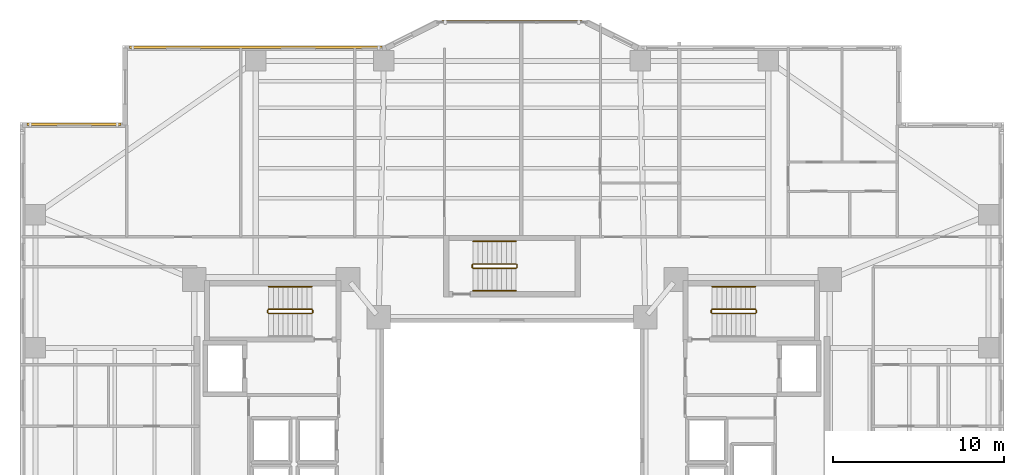
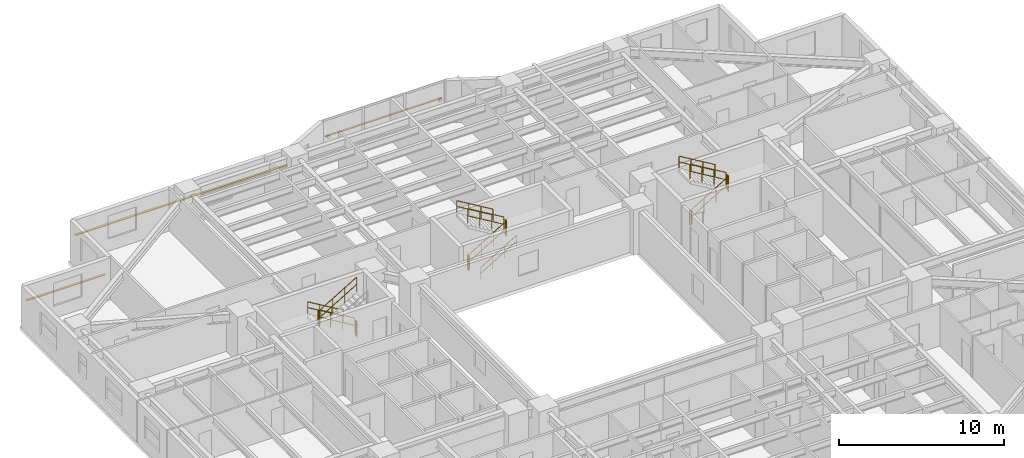
# One storey, part 20 of 21: 16 railings, 3 shading devices.
"""IFC4 building model written with IfcOpenShell, lengths in metres."""

from ifc_helpers import new_model, si_unit, direction, frame, origin, origin_2d, place, context, subcontext, project, spatial, rectangle, circle, extrude, material, material_profile, profile_set, type_object, element, save


model = new_model("IFC4")

# Units and contexts
model_context = context("Model", 3, precision=1e-05, world=origin(), true_north=direction((0.0, 1.0)))
body_context = subcontext(model_context, "Body", "Model", "MODEL_VIEW")
ifc_project = project(units=[si_unit("LENGTHUNIT", "METRE"), si_unit("AREAUNIT", "SQUARE_METRE"), si_unit("VOLUMEUNIT", "CUBIC_METRE"), si_unit("PLANEANGLEUNIT", "RADIAN"), si_unit("MASSUNIT", "GRAM", prefix="KILO")], contexts=[model_context])

# Site, building, storey
site_placement = place(None, origin())
site = spatial("IfcSite", under=ifc_project, at=site_placement, CompositionType="ELEMENT")
building_placement = place(site_placement, origin())
building = spatial("IfcBuilding", under=site, at=building_placement, Name="Tarnavaz Court Tower", CompositionType="ELEMENT")
storey_placement = place(building_placement, frame((0.0, 0.0, 47.449951171875)))
storey = spatial("IfcBuildingStorey", under=building, at=storey_placement, Name="L12", CompositionType="ELEMENT", Elevation=47.449951171875)

# Railings
ifc_material_1 = material(Name="Brushed Stainless Steel", Category="steel")
railing_type_1 = type_object("IfcRailingType", Name="RL-HANDRAIL-900", PredefinedType="HANDRAIL", material=ifc_material_1)
for number, where, name in (
    (1, (-11.719970703125, 9.590087890625, 0.16748046875), "L12 ST-W1 stair handrail 1"),
    (2, (14.239990234375, 9.590087890625, 1.842529296875), "L12 ST-E1 stair handrail 2"),
):
    element("IfcRailing", number, at=place(storey_placement, frame(where)), inside=storey, type_object=railing_type_1, Name=name, PredefinedType="HANDRAIL", context=body_context, shape_type="SweptSolid", body=[
        extrude(circle(Radius=0.02392578125, at=origin_2d()), frame((0.0, 0.0, 0.8759765625), z_axis=(-0.858159760407, 0.0, 0.513382728203), x_axis=(0.0, -1.0, 0.0)), (0.0, 0.0, 1.0), 2.9365234375),
        extrude(circle(Radius=0.02392578125, at=origin_2d()), frame((0.0, 0.0, 0.449951171875), z_axis=(-0.858159760407, 0.0, 0.513382728203), x_axis=(0.0, -1.0, 0.0)), (0.0, 0.0, 1.0), 2.9365234375),
        extrude(circle(Radius=0.02099609375, at=origin_2d()), origin(), (0.0, 0.0, 1.0), 0.851806640625),
        extrude(circle(Radius=0.02099609375, at=origin_2d()), frame((-0.840087890625, 0.0, 0.50244140625)), (0.0, 0.0, 1.0), 0.851806640625),
        extrude(circle(Radius=0.02099609375, at=origin_2d()), frame((-1.679931640625, 0.0, 1.005126953125)), (0.0, 0.0, 1.0), 0.851806640625),
        extrude(circle(Radius=0.02099609375, at=origin_2d()), frame((-2.52001953125, 0.0, 1.507568359375)), (0.0, 0.0, 1.0), 0.851806640625),
    ])
railing_1_placement = place(storey_placement, frame((-2.280029296875, 9.35009765625, 0.16748046875)))
element("IfcRailing", 3, at=railing_1_placement, inside=storey, type_object=railing_type_1, Name="L12 ST-N1 stair handrail 1", PredefinedType="HANDRAIL", context=body_context, shape_type="SweptSolid", body=[
    extrude(circle(Radius=0.02392578125, at=origin_2d()), frame((0.0, 0.0, 0.8759765625), z_axis=(0.858159760407, 0.0, 0.513382728203), x_axis=(0.0, 1.0, 0.0)), (0.0, 0.0, 1.0), 2.9365234375),
    extrude(circle(Radius=0.02392578125, at=origin_2d()), frame((0.0, 0.0, 0.449951171875), z_axis=(0.858159760407, 0.0, 0.513382728203), x_axis=(0.0, 1.0, 0.0)), (0.0, 0.0, 1.0), 2.9365234375),
    extrude(circle(Radius=0.02099609375, at=origin_2d()), origin(), (0.0, 0.0, 1.0), 0.851806640625),
    extrude(circle(Radius=0.02099609375, at=origin_2d()), frame((0.840087890625, 0.0, 0.50244140625)), (0.0, 0.0, 1.0), 0.851806640625),
    extrude(circle(Radius=0.02099609375, at=origin_2d()), frame((1.679931640625, 0.0, 1.005126953125)), (0.0, 0.0, 1.0), 0.851806640625),
    extrude(circle(Radius=0.02099609375, at=origin_2d()), frame((2.52001953125, 0.0, 1.507568359375)), (0.0, 0.0, 1.0), 0.851806640625),
])
railing_2_placement = place(storey_placement, frame((0.239990234375, 12.239990234375, 1.842529296875)))
element("IfcRailing", 4, at=railing_2_placement, inside=storey, type_object=railing_type_1, Name="L12 ST-N1 stair handrail 2", PredefinedType="HANDRAIL", context=body_context, shape_type="SweptSolid", body=[
    extrude(circle(Radius=0.02392578125, at=origin_2d()), frame((0.0, 0.0, 0.8759765625), z_axis=(-0.858159760407, 0.0, 0.513382728203), x_axis=(0.0, -1.0, 0.0)), (0.0, 0.0, 1.0), 2.9365234375),
    extrude(circle(Radius=0.02392578125, at=origin_2d()), frame((0.0, 0.0, 0.449951171875), z_axis=(-0.858159760407, 0.0, 0.513382728203), x_axis=(0.0, -1.0, 0.0)), (0.0, 0.0, 1.0), 2.9365234375),
    extrude(circle(Radius=0.02099609375, at=origin_2d()), origin(), (0.0, 0.0, 1.0), 0.851806640625),
    extrude(circle(Radius=0.02099609375, at=origin_2d()), frame((-0.840087890625, 0.0, 0.50244140625)), (0.0, 0.0, 1.0), 0.851806640625),
    extrude(circle(Radius=0.02099609375, at=origin_2d()), frame((-1.679931640625, 0.0, 1.005126953125)), (0.0, 0.0, 1.0), 0.851806640625),
    extrude(circle(Radius=0.02099609375, at=origin_2d()), frame((-2.52001953125, 0.0, 1.507568359375)), (0.0, 0.0, 1.0), 0.851806640625),
])
ifc_material_2 = material(Name="Galvanized Painted Tubular Steel", Category="steel")
railing_type_2 = type_object("IfcRailingType", Name="RL-STGUARD-1120", PredefinedType="GUARDRAIL", material=ifc_material_2)
railing_3_placement = place(storey_placement, frame((-11.719970703125, 8.27001953125, 0.16748046875)))
element("IfcRailing", 5, at=railing_3_placement, inside=storey, type_object=railing_type_2, Name="L12 ST-W1 stair guard 1", PredefinedType="GUARDRAIL", context=body_context, shape_type="SweptSolid", body=[
    extrude(circle(Radius=0.02392578125, at=origin_2d()), frame((0.0, 0.0, 1.09619140625), z_axis=(-0.858159760407, 0.0, 0.513382728203), x_axis=(0.0, -1.0, 0.0)), (0.0, 0.0, 1.0), 2.9365234375),
    extrude(circle(Radius=0.02392578125, at=origin_2d()), frame((0.0, 0.0, 0.56005859375), z_axis=(-0.858159760407, 0.0, 0.513382728203), x_axis=(0.0, -1.0, 0.0)), (0.0, 0.0, 1.0), 2.9365234375),
    extrude(circle(Radius=0.02099609375, at=origin_2d()), origin(), (0.0, 0.0, 1.0), 1.072021484375),
    extrude(circle(Radius=0.02099609375, at=origin_2d()), frame((-0.840087890625, 0.0, 0.50244140625)), (0.0, 0.0, 1.0), 1.072021484375),
    extrude(circle(Radius=0.02099609375, at=origin_2d()), frame((-1.679931640625, 0.0, 1.005126953125)), (0.0, 0.0, 1.0), 1.072021484375),
    extrude(circle(Radius=0.02099609375, at=origin_2d()), frame((-2.52001953125, 0.0, 1.507568359375)), (0.0, 0.0, 1.0), 1.072021484375),
])
railing_4_placement = place(storey_placement, frame((-14.2900390625, 8.219970703125, 1.675048828125)))
element("IfcRailing", 6, at=railing_4_placement, inside=storey, type_object=railing_type_2, Name="L12 ST-W1 stair guard 2", PredefinedType="GUARDRAIL", context=body_context, shape_type="SweptSolid", body=[
    extrude(circle(Radius=0.02392578125, at=origin_2d()), frame((0.0, 0.0, 1.09619140625), z_axis=(0.0, -1.0, 0.0), x_axis=(1.0, 0.0, 0.0)), (0.0, 0.0, 1.0), 0.14990234375),
    extrude(circle(Radius=0.02392578125, at=origin_2d()), frame((0.0, 0.0, 0.56005859375), z_axis=(0.0, -1.0, 0.0), x_axis=(1.0, 0.0, 0.0)), (0.0, 0.0, 1.0), 0.14990234375),
    extrude(circle(Radius=0.02099609375, at=origin_2d()), origin(), (0.0, 0.0, 1.0), 1.072021484375),
    extrude(circle(Radius=0.02099609375, at=origin_2d()), frame((0.0, -0.14990234375, 0.0)), (0.0, 0.0, 1.0), 1.072021484375),
])
railing_5_placement = place(storey_placement, frame((-14.239990234375, 8.02001953125, 1.842529296875)))
element("IfcRailing", 7, at=railing_5_placement, inside=storey, type_object=railing_type_2, Name="L12 ST-W1 stair guard 3", PredefinedType="GUARDRAIL", context=body_context, shape_type="SweptSolid", body=[
    extrude(circle(Radius=0.02392578125, at=origin_2d()), frame((0.0, 0.0, 1.09619140625), z_axis=(0.858159760407, 0.0, 0.513382728203), x_axis=(0.0, 1.0, 0.0)), (0.0, 0.0, 1.0), 2.9365234375),
    extrude(circle(Radius=0.02392578125, at=origin_2d()), frame((0.0, 0.0, 0.56005859375), z_axis=(0.858159760407, 0.0, 0.513382728203), x_axis=(0.0, 1.0, 0.0)), (0.0, 0.0, 1.0), 2.9365234375),
    extrude(circle(Radius=0.02099609375, at=origin_2d()), origin(), (0.0, 0.0, 1.0), 1.072021484375),
    extrude(circle(Radius=0.02099609375, at=origin_2d()), frame((0.840087890625, 0.0, 0.50244140625)), (0.0, 0.0, 1.0), 1.072021484375),
    extrude(circle(Radius=0.02099609375, at=origin_2d()), frame((1.679931640625, 0.0, 1.005126953125)), (0.0, 0.0, 1.0), 1.072021484375),
    extrude(circle(Radius=0.02099609375, at=origin_2d()), frame((2.52001953125, 0.0, 1.507568359375)), (0.0, 0.0, 1.0), 1.072021484375),
])
railing_6_placement = place(storey_placement, frame((-11.669921875, 8.219970703125, 0.0)))
element("IfcRailing", 8, at=railing_6_placement, inside=storey, type_object=railing_type_2, Name="L12 ST-W1 stair guard 4", PredefinedType="GUARDRAIL", context=body_context, shape_type="SweptSolid", body=[
    extrude(circle(Radius=0.02392578125, at=origin_2d()), frame((0.0, 0.0, 1.09619140625), z_axis=(0.0, -1.0, 0.0), x_axis=(1.0, 0.0, 0.0)), (0.0, 0.0, 1.0), 0.14990234375),
    extrude(circle(Radius=0.02392578125, at=origin_2d()), frame((0.0, 0.0, 0.56005859375), z_axis=(0.0, -1.0, 0.0), x_axis=(1.0, 0.0, 0.0)), (0.0, 0.0, 1.0), 0.14990234375),
    extrude(circle(Radius=0.02099609375, at=origin_2d()), origin(), (0.0, 0.0, 1.0), 1.072021484375),
    extrude(circle(Radius=0.02099609375, at=origin_2d()), frame((0.0, -0.14990234375, 0.0)), (0.0, 0.0, 1.0), 1.072021484375),
])
railing_7_placement = place(storey_placement, frame((11.719970703125, 8.02001953125, 0.16748046875)))
element("IfcRailing", 9, at=railing_7_placement, inside=storey, type_object=railing_type_2, Name="L12 ST-E1 stair guard 1", PredefinedType="GUARDRAIL", context=body_context, shape_type="SweptSolid", body=[
    extrude(circle(Radius=0.02392578125, at=origin_2d()), frame((0.0, 0.0, 1.09619140625), z_axis=(0.858159760407, 0.0, 0.513382728203), x_axis=(0.0, 1.0, 0.0)), (0.0, 0.0, 1.0), 2.9365234375),
    extrude(circle(Radius=0.02392578125, at=origin_2d()), frame((0.0, 0.0, 0.56005859375), z_axis=(0.858159760407, 0.0, 0.513382728203), x_axis=(0.0, 1.0, 0.0)), (0.0, 0.0, 1.0), 2.9365234375),
    extrude(circle(Radius=0.02099609375, at=origin_2d()), origin(), (0.0, 0.0, 1.0), 1.072021484375),
    extrude(circle(Radius=0.02099609375, at=origin_2d()), frame((0.840087890625, 0.0, 0.50244140625)), (0.0, 0.0, 1.0), 1.072021484375),
    extrude(circle(Radius=0.02099609375, at=origin_2d()), frame((1.679931640625, 0.0, 1.005126953125)), (0.0, 0.0, 1.0), 1.072021484375),
    extrude(circle(Radius=0.02099609375, at=origin_2d()), frame((2.52001953125, 0.0, 1.507568359375)), (0.0, 0.0, 1.0), 1.072021484375),
])
railing_8_placement = place(storey_placement, frame((14.2900390625, 8.070068359375, 1.675048828125)))
element("IfcRailing", 10, at=railing_8_placement, inside=storey, type_object=railing_type_2, Name="L12 ST-E1 stair guard 2", PredefinedType="GUARDRAIL", context=body_context, shape_type="SweptSolid", body=[
    extrude(circle(Radius=0.02392578125, at=origin_2d()), frame((0.0, 0.0, 1.09619140625), z_axis=(0.0, 1.0, 0.0), x_axis=(-1.0, 0.0, 0.0)), (0.0, 0.0, 1.0), 0.14990234375),
    extrude(circle(Radius=0.02392578125, at=origin_2d()), frame((0.0, 0.0, 0.56005859375), z_axis=(0.0, 1.0, 0.0), x_axis=(-1.0, 0.0, 0.0)), (0.0, 0.0, 1.0), 0.14990234375),
    extrude(circle(Radius=0.02099609375, at=origin_2d()), origin(), (0.0, 0.0, 1.0), 1.072021484375),
    extrude(circle(Radius=0.02099609375, at=origin_2d()), frame((0.0, 0.14990234375, 0.0)), (0.0, 0.0, 1.0), 1.072021484375),
])
railing_9_placement = place(storey_placement, frame((14.239990234375, 8.27001953125, 1.842529296875)))
element("IfcRailing", 11, at=railing_9_placement, inside=storey, type_object=railing_type_2, Name="L12 ST-E1 stair guard 3", PredefinedType="GUARDRAIL", context=body_context, shape_type="SweptSolid", body=[
    extrude(circle(Radius=0.02392578125, at=origin_2d()), frame((0.0, 0.0, 1.09619140625), z_axis=(-0.858159760407, 0.0, 0.513382728203), x_axis=(0.0, -1.0, 0.0)), (0.0, 0.0, 1.0), 2.9365234375),
    extrude(circle(Radius=0.02392578125, at=origin_2d()), frame((0.0, 0.0, 0.56005859375), z_axis=(-0.858159760407, 0.0, 0.513382728203), x_axis=(0.0, -1.0, 0.0)), (0.0, 0.0, 1.0), 2.9365234375),
    extrude(circle(Radius=0.02099609375, at=origin_2d()), origin(), (0.0, 0.0, 1.0), 1.072021484375),
    extrude(circle(Radius=0.02099609375, at=origin_2d()), frame((-0.840087890625, 0.0, 0.50244140625)), (0.0, 0.0, 1.0), 1.072021484375),
    extrude(circle(Radius=0.02099609375, at=origin_2d()), frame((-1.679931640625, 0.0, 1.005126953125)), (0.0, 0.0, 1.0), 1.072021484375),
    extrude(circle(Radius=0.02099609375, at=origin_2d()), frame((-2.52001953125, 0.0, 1.507568359375)), (0.0, 0.0, 1.0), 1.072021484375),
])
railing_10_placement = place(storey_placement, frame((11.669921875, 8.070068359375, 0.0)))
element("IfcRailing", 12, at=railing_10_placement, inside=storey, type_object=railing_type_2, Name="L12 ST-E1 stair guard 4", PredefinedType="GUARDRAIL", context=body_context, shape_type="SweptSolid", body=[
    extrude(circle(Radius=0.02392578125, at=origin_2d()), frame((0.0, 0.0, 1.09619140625), z_axis=(0.0, 1.0, 0.0), x_axis=(-1.0, 0.0, 0.0)), (0.0, 0.0, 1.0), 0.14990234375),
    extrude(circle(Radius=0.02392578125, at=origin_2d()), frame((0.0, 0.0, 0.56005859375), z_axis=(0.0, 1.0, 0.0), x_axis=(-1.0, 0.0, 0.0)), (0.0, 0.0, 1.0), 0.14990234375),
    extrude(circle(Radius=0.02099609375, at=origin_2d()), origin(), (0.0, 0.0, 1.0), 1.072021484375),
    extrude(circle(Radius=0.02099609375, at=origin_2d()), frame((0.0, 0.14990234375, 0.0)), (0.0, 0.0, 1.0), 1.072021484375),
])
railing_11_placement = place(storey_placement, frame((-2.280029296875, 10.669921875, 0.16748046875)))
element("IfcRailing", 13, at=railing_11_placement, inside=storey, type_object=railing_type_2, Name="L12 ST-N1 stair guard 1", PredefinedType="GUARDRAIL", context=body_context, shape_type="SweptSolid", body=[
    extrude(circle(Radius=0.02392578125, at=origin_2d()), frame((0.0, 0.0, 1.09619140625), z_axis=(0.858159760407, 0.0, 0.513382728203), x_axis=(0.0, 1.0, 0.0)), (0.0, 0.0, 1.0), 2.9365234375),
    extrude(circle(Radius=0.02392578125, at=origin_2d()), frame((0.0, 0.0, 0.56005859375), z_axis=(0.858159760407, 0.0, 0.513382728203), x_axis=(0.0, 1.0, 0.0)), (0.0, 0.0, 1.0), 2.9365234375),
    extrude(circle(Radius=0.02099609375, at=origin_2d()), origin(), (0.0, 0.0, 1.0), 1.072021484375),
    extrude(circle(Radius=0.02099609375, at=origin_2d()), frame((0.840087890625, 0.0, 0.50244140625)), (0.0, 0.0, 1.0), 1.072021484375),
    extrude(circle(Radius=0.02099609375, at=origin_2d()), frame((1.679931640625, 0.0, 1.005126953125)), (0.0, 0.0, 1.0), 1.072021484375),
    extrude(circle(Radius=0.02099609375, at=origin_2d()), frame((2.52001953125, 0.0, 1.507568359375)), (0.0, 0.0, 1.0), 1.072021484375),
])
railing_12_placement = place(storey_placement, frame((0.2900390625, 10.719970703125, 1.675048828125)))
element("IfcRailing", 14, at=railing_12_placement, inside=storey, type_object=railing_type_2, Name="L12 ST-N1 stair guard 2", PredefinedType="GUARDRAIL", context=body_context, shape_type="SweptSolid", body=[
    extrude(circle(Radius=0.02392578125, at=origin_2d()), frame((0.0, 0.0, 1.09619140625), z_axis=(0.0, 1.0, 0.0), x_axis=(-1.0, 0.0, 0.0)), (0.0, 0.0, 1.0), 0.150146484375),
    extrude(circle(Radius=0.02392578125, at=origin_2d()), frame((0.0, 0.0, 0.56005859375), z_axis=(0.0, 1.0, 0.0), x_axis=(-1.0, 0.0, 0.0)), (0.0, 0.0, 1.0), 0.150146484375),
    extrude(circle(Radius=0.02099609375, at=origin_2d()), origin(), (0.0, 0.0, 1.0), 1.072021484375),
    extrude(circle(Radius=0.02099609375, at=origin_2d()), frame((0.0, 0.150146484375, 0.0)), (0.0, 0.0, 1.0), 1.072021484375),
])
railing_13_placement = place(storey_placement, frame((0.239990234375, 10.919921875, 1.842529296875)))
element("IfcRailing", 15, at=railing_13_placement, inside=storey, type_object=railing_type_2, Name="L12 ST-N1 stair guard 3", PredefinedType="GUARDRAIL", context=body_context, shape_type="SweptSolid", body=[
    extrude(circle(Radius=0.02392578125, at=origin_2d()), frame((0.0, 0.0, 1.09619140625), z_axis=(-0.858159760407, 0.0, 0.513382728203), x_axis=(0.0, -1.0, 0.0)), (0.0, 0.0, 1.0), 2.9365234375),
    extrude(circle(Radius=0.02392578125, at=origin_2d()), frame((0.0, 0.0, 0.56005859375), z_axis=(-0.858159760407, 0.0, 0.513382728203), x_axis=(0.0, -1.0, 0.0)), (0.0, 0.0, 1.0), 2.9365234375),
    extrude(circle(Radius=0.02099609375, at=origin_2d()), origin(), (0.0, 0.0, 1.0), 1.072021484375),
    extrude(circle(Radius=0.02099609375, at=origin_2d()), frame((-0.840087890625, 0.0, 0.50244140625)), (0.0, 0.0, 1.0), 1.072021484375),
    extrude(circle(Radius=0.02099609375, at=origin_2d()), frame((-1.679931640625, 0.0, 1.005126953125)), (0.0, 0.0, 1.0), 1.072021484375),
    extrude(circle(Radius=0.02099609375, at=origin_2d()), frame((-2.52001953125, 0.0, 1.507568359375)), (0.0, 0.0, 1.0), 1.072021484375),
])
railing_14_placement = place(storey_placement, frame((-2.330078125, 10.719970703125, 0.0)))
element("IfcRailing", 16, at=railing_14_placement, inside=storey, type_object=railing_type_2, Name="L12 ST-N1 stair guard 4", PredefinedType="GUARDRAIL", context=body_context, shape_type="SweptSolid", body=[
    extrude(circle(Radius=0.02392578125, at=origin_2d()), frame((0.0, 0.0, 1.09619140625), z_axis=(0.0, 1.0, 0.0), x_axis=(-1.0, 0.0, 0.0)), (0.0, 0.0, 1.0), 0.150146484375),
    extrude(circle(Radius=0.02392578125, at=origin_2d()), frame((0.0, 0.0, 0.56005859375), z_axis=(0.0, 1.0, 0.0), x_axis=(-1.0, 0.0, 0.0)), (0.0, 0.0, 1.0), 0.150146484375),
    extrude(circle(Radius=0.02099609375, at=origin_2d()), origin(), (0.0, 0.0, 1.0), 1.072021484375),
    extrude(circle(Radius=0.02099609375, at=origin_2d()), frame((0.0, 0.150146484375, 0.0)), (0.0, 0.0, 1.0), 1.072021484375),
])

# Shading devices
ifc_material_3 = material(Name="Kiln-Fired Khorasan Terracotta Ceramic", Category="masonry")
ifc_material_profile_1 = material_profile(ifc_material_3, rectangle(XDim=0.1201171875, YDim=0.06005859375, at=origin_2d()), Name="TC BAGUETTE 120X60")
ifc_profile_set_1 = profile_set([ifc_material_profile_1], Name="Kiln-Fired Khorasan Terracotta Ceramic")
shading_device_type_1 = type_object("IfcShadingDeviceType", Name="SD-BAG-120", PredefinedType="USERDEFINED", material=ifc_profile_set_1)
shading_device_1_placement = place(storey_placement, frame((-4.10009765625, 25.110107421875, 1.800048828125), z_axis=(1.0, 0.0, 0.0), x_axis=(0.0, 1.0, 0.0)))
element("IfcShadingDevice", 17, at=shading_device_1_placement, inside=storey, type_object=shading_device_type_1, Name="L12 Terracotta Baguette Screen PBG7", ObjectType="BAGUETTE", PredefinedType="USERDEFINED", context=body_context, shape_type="SweptSolid", body=[
    extrude(rectangle(XDim=0.1201171875, YDim=0.06005859375, at=origin_2d()), origin(), (0.0, 0.0, 1.0), 8.2001953125),
])
ifc_material_profile_2 = material_profile(ifc_material_3, rectangle(XDim=0.14990234375, YDim=0.06494140625, at=origin_2d()), Name="TC BAGUETTE 150X65")
ifc_profile_set_2 = profile_set([ifc_material_profile_2], Name="Kiln-Fired Khorasan Terracotta Ceramic")
shading_device_type_2 = type_object("IfcShadingDeviceType", Name="SD-BAG-150", PredefinedType="USERDEFINED", material=ifc_profile_set_2)
shading_device_2_placement = place(storey_placement, frame((-28.39990234375, 19.110107421875, 1.85009765625), z_axis=(1.0, 0.0, 0.0), x_axis=(0.0, 1.0, 0.0)))
element("IfcShadingDevice", 18, at=shading_device_2_placement, inside=storey, type_object=shading_device_type_2, Name="L12 Terracotta Baguette Screen FBG03", ObjectType="BAGUETTE", PredefinedType="USERDEFINED", context=body_context, shape_type="SweptSolid", body=[
    extrude(rectangle(XDim=0.14990234375, YDim=0.06494140625, at=origin_2d()), origin(), (0.0, 0.0, 1.0), 5.5),
])
shading_device_3_placement = place(storey_placement, frame((-22.39990234375, 23.610107421875, 1.85009765625), z_axis=(1.0, 0.0, 0.0), x_axis=(0.0, 1.0, 0.0)))
element("IfcShadingDevice", 19, at=shading_device_3_placement, inside=storey, type_object=shading_device_type_2, Name="L12 Terracotta Baguette Screen FBG05", ObjectType="BAGUETTE", PredefinedType="USERDEFINED", context=body_context, shape_type="SweptSolid", body=[
    extrude(rectangle(XDim=0.14990234375, YDim=0.06494140625, at=origin_2d()), origin(), (0.0, 0.0, 1.0), 14.7998046875),
])

save(model, "model.ifc")
